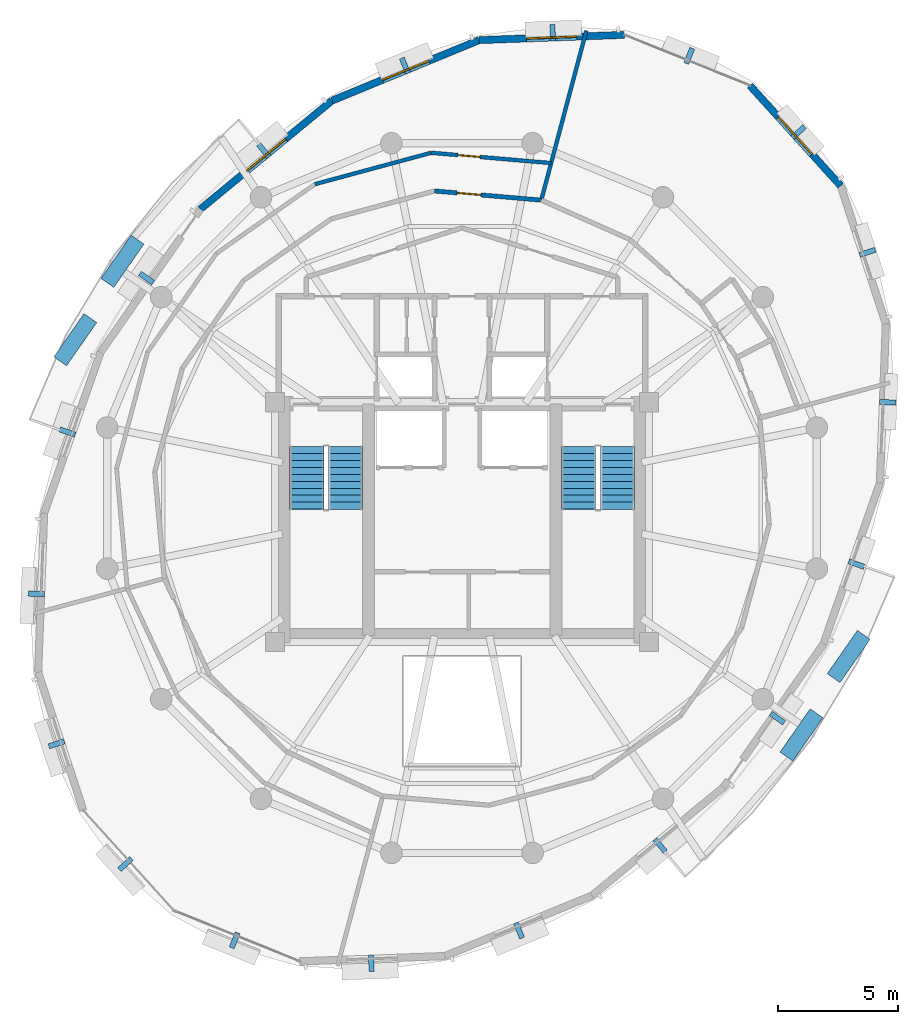
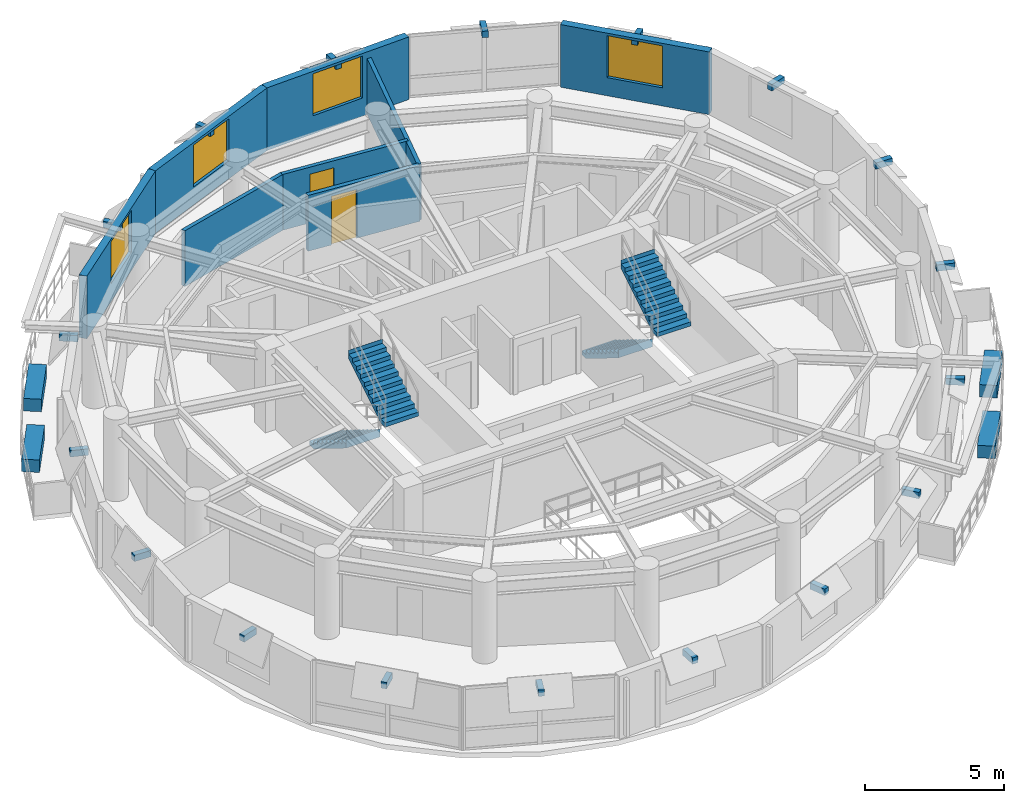
# One storey, part 9 of 11: 22 discrete accessories, 8 walls, 4 stair flights, 4 windows, 2 doors, 6 openings, 2 elements without a shape of their own.
"""IFC4 building model written with IfcOpenShell, lengths in metres."""

import ifcopenshell
import ifcopenshell.guid

model = None  # the IFC model being written
_history = None  # IfcOwnerHistory: only IFC2X3 demands one
_inside = {}  # id of a spatial element -> (the spatial element, [elements in it])
_under = {}  # id of a project, library or spatial element -> (it, [spatial elements below it])
_declared = {}  # id of a project -> (the project, [libraries it declares])
_typed = {}  # id of a type object -> (the type object, [elements of that type])
_made_of = {}  # id of a material, layer set ... -> (it, [elements and type objects made of it])


def new_model(schema):
    """Start an empty IFC model of exactly this schema.

    Asked for "IFC4X3", IfcOpenShell would pick the latest addendum, in which some entities
    have other attributes; the version numbers below select the first issue.
    IFC2X3 requires an IfcOwnerHistory on every rooted entity: one is made here for all.
    """
    global model, _history
    if schema == "IFC4X3":
        model = ifcopenshell.file(schema_version=(4, 3, 0, 0))
    else:
        model = ifcopenshell.file(schema=schema)
    _inside.clear()
    _under.clear()
    _declared.clear()
    _typed.clear()
    _made_of.clear()
    _history = None
    if model.schema == "IFC2X3":
        org = make("IfcOrganization", Name="unknown")
        user = make(
            "IfcPersonAndOrganization",
            ThePerson=make("IfcPerson", FamilyName="unknown"),
            TheOrganization=org,
        )
        app = make(
            "IfcApplication",
            ApplicationDeveloper=org,
            Version="unknown",
            ApplicationFullName="unknown",
            ApplicationIdentifier="unknown",
        )
        _history = make(
            "IfcOwnerHistory",
            OwningUser=user,
            OwningApplication=app,
            ChangeAction="ADDED",
            CreationDate=0,
        )
    return model


def make(cls, **values):
    """One entity of the class cls with the attributes given. An attribute that is None is left unset."""
    return model.create_entity(
        cls, **{name: value for name, value in values.items() if value is not None}
    )


def rooted(cls, **values):
    """An entity with a GlobalId (a new one), such as an element, a storey or a relation."""
    return make(cls, GlobalId=ifcopenshell.guid.new(), OwnerHistory=_history, **values)


def si_unit(unit_type, name, prefix=None):
    """IfcSIUnit, for example si_unit("LENGTHUNIT", "METRE", prefix="MILLI")."""
    return make("IfcSIUnit", UnitType=unit_type, Prefix=prefix, Name=name)


def assignment(units):
    """IfcUnitAssignment: the units of a project."""
    return None if units is None else make("IfcUnitAssignment", Units=units)


def point(xyz):
    """IfcCartesianPoint."""
    return None if xyz is None else make("IfcCartesianPoint", Coordinates=xyz)


def direction(xyz):
    """IfcDirection."""
    return None if xyz is None else make("IfcDirection", DirectionRatios=xyz)


def frame(location, z_axis=None, x_axis=None):
    """IfcAxis2Placement3D, a coordinate frame: its origin and axes. An axis left out is left unset."""
    return make(
        "IfcAxis2Placement3D",
        Location=point(location),
        Axis=direction(z_axis),
        RefDirection=direction(x_axis),
    )


def frame_2d(location, x_axis=None):
    """IfcAxis2Placement2D, a coordinate frame in the plane: its origin and x axis."""
    return make(
        "IfcAxis2Placement2D", Location=point(location), RefDirection=direction(x_axis)
    )


def origin():
    """The frame at (0, 0, 0) with its axes left unset."""
    return frame((0.0, 0.0, 0.0))


def origin_2d():
    """The frame at (0, 0) in the plane with its x axis left unset."""
    return frame_2d((0.0, 0.0))


def place(relative_to, where):
    """IfcLocalPlacement: puts the frame where relative to a parent placement (None: the world)."""
    return make(
        "IfcLocalPlacement", PlacementRelTo=relative_to, RelativePlacement=where
    )


def context(
    kind, dimensions, precision=None, world=None, true_north=None, identifier=None
):
    """IfcGeometricRepresentationContext, for example the 3D "Model" context."""
    return make(
        "IfcGeometricRepresentationContext",
        ContextIdentifier=identifier,
        ContextType=kind,
        CoordinateSpaceDimension=dimensions,
        Precision=precision,
        WorldCoordinateSystem=world,
        TrueNorth=true_north,
    )


def subcontext(parent, identifier, kind, view, scale=None):
    """IfcGeometricRepresentationSubContext, for example "Body" below "Model"."""
    return make(
        "IfcGeometricRepresentationSubContext",
        ContextIdentifier=identifier,
        ContextType=kind,
        ParentContext=parent,
        TargetScale=scale,
        TargetView=view,
    )


def project(units=None, contexts=None):
    """IfcProject with its units and contexts."""
    return rooted(
        "IfcProject",
        Name="project",
        RepresentationContexts=contexts,
        UnitsInContext=assignment(units),
    )


def spatial(cls, under=None, at=None, **own):
    """A site, building, storey or space (cls), placed at a placement, below another one or the project."""
    s = rooted(cls, ObjectPlacement=at, **own)
    if under is not None:
        _under.setdefault(under.id(), (under, []))[1].append(s)
    return s


def polyline(points):
    """IfcPolyline through the points."""
    return make("IfcPolyline", Points=[point(p) for p in points])


def profile(cls, at=None, kind="AREA", **sizes):
    """A parametric profile (cls). Its sizes go by their IFC names, for example OverallWidth=200.0."""
    return make(cls, ProfileType=kind, Position=at, **sizes)


def rectangle(**sizes):
    """IfcRectangleProfileDef."""
    return profile("IfcRectangleProfileDef", **sizes)


def outline(outer, holes=None, kind="AREA"):
    """IfcArbitraryClosedProfileDef: a profile drawn as a closed curve; with holes, ...WithVoids."""
    if holes is None:
        return make("IfcArbitraryClosedProfileDef", ProfileType=kind, OuterCurve=outer)
    return make(
        "IfcArbitraryProfileDefWithVoids",
        ProfileType=kind,
        OuterCurve=outer,
        InnerCurves=holes,
    )


def extrude(swept, where, along, depth):
    """IfcExtrudedAreaSolid: the profile swept, set in the frame where, extruded along a direction by depth."""
    return make(
        "IfcExtrudedAreaSolid",
        SweptArea=swept,
        Position=where,
        ExtrudedDirection=direction(along),
        Depth=depth,
    )


def shape(context_of_items, identifier, shape_type, items):
    """IfcShapeRepresentation: the items that make up one representation, for example the "Body"."""
    return make(
        "IfcShapeRepresentation",
        ContextOfItems=context_of_items,
        RepresentationIdentifier=identifier,
        RepresentationType=shape_type,
        Items=items,
    )


def material(Name=None, Category=None):
    """IfcMaterial."""
    return make("IfcMaterial", Name=Name, Category=Category)


def layer(
    of_material, thickness, ventilated=None, Name=None, Category=None, Priority=None
):
    """IfcMaterialLayer: one layer of a wall or slab, of a material (None: an air gap)."""
    return make(
        "IfcMaterialLayer",
        Material=of_material,
        LayerThickness=thickness,
        IsVentilated=ventilated,
        Name=Name,
        Category=Category,
        Priority=Priority,
    )


def layer_set(layers, Name=None):
    """IfcMaterialLayerSet."""
    return make("IfcMaterialLayerSet", MaterialLayers=layers, LayerSetName=Name)


def made_of(thing, what):
    """Note that an element or type object is made of a material, layer set ...; save() writes the relation."""
    if what is not None:
        _made_of.setdefault(what.id(), (what, []))[1].append(thing)
    return thing


def type_object(cls, material=None, **own):
    """A type object (cls), such as IfcWallType, which elements share."""
    return made_of(rooted(cls, **own), material)


def element(
    cls,
    number,
    at=None,
    inside=None,
    cuts=None,
    type_object=None,
    material=None,
    context=None,
    identifier="Body",
    shape_type=None,
    held_by="IfcProductDefinitionShape",
    body=None,
    shapes=None,
    **own,
):
    """One element of the class cls, such as IfcWall. Its Tag is "e" and its number.

    at: its placement. inside: the storey or other place that contains it. cuts: it is an
    opening in that element (IfcRelVoidsElement). A single representation is given by context,
    identifier, shape_type and body (its items); several are given by shapes. held_by: the class
    of the entity that holds the representations. save() writes the other relations.
    """
    e = rooted(cls, Tag="e%d" % number, ObjectPlacement=at, **own)
    if body is not None:
        shapes = [shape(context, identifier, shape_type, body)]
    if shapes is not None:
        e.Representation = make(held_by, Representations=shapes)
    if inside is not None:
        _inside.setdefault(inside.id(), (inside, []))[1].append(e)
    if cuts is not None:
        rooted(
            "IfcRelVoidsElement", RelatingBuildingElement=cuts, RelatedOpeningElement=e
        )
    if type_object is not None:
        _typed.setdefault(type_object.id(), (type_object, []))[1].append(e)
    return made_of(e, material)


def fill(opening, filler):
    """IfcRelFillsElement: the door or window that sits in an opening."""
    return rooted(
        "IfcRelFillsElement",
        RelatingOpeningElement=opening,
        RelatedBuildingElement=filler,
    )


def aggregate(whole, parts):
    """IfcRelAggregates: a whole, such as a stair, and the parts it consists of."""
    return rooted("IfcRelAggregates", RelatingObject=whole, RelatedObjects=parts)


def save(model, path):
    """Write the relations noted so far, then the file.

    IfcRelAggregates (storeys below a building ...), IfcRelContainedInSpatialStructure (elements
    in a storey), IfcRelDefinesByType, IfcRelAssociatesMaterial and IfcRelDeclares: one each for
    every whole, place, type object, material and project.
    """
    for whole, parts in _under.values():
        aggregate(whole, parts)
    for where, things in _inside.values():
        rooted(
            "IfcRelContainedInSpatialStructure",
            RelatedElements=things,
            RelatingStructure=where,
        )
    for kind, things in _typed.values():
        rooted("IfcRelDefinesByType", RelatedObjects=things, RelatingType=kind)
    for what, things in _made_of.values():
        rooted("IfcRelAssociatesMaterial", RelatedObjects=things, RelatingMaterial=what)
    for by, libraries in _declared.values():
        rooted("IfcRelDeclares", RelatingContext=by, RelatedDefinitions=libraries)
    model.write(path)


model = new_model("IFC4")

# Units and contexts
model_context = context("Model", 3, precision=1e-05, world=origin(), true_north=direction((0.0, 1.0)))
body_context = subcontext(model_context, "Body", "Model", "MODEL_VIEW")
ifc_project = project(units=[si_unit("LENGTHUNIT", "METRE"), si_unit("AREAUNIT", "SQUARE_METRE"), si_unit("VOLUMEUNIT", "CUBIC_METRE"), si_unit("PLANEANGLEUNIT", "RADIAN"), si_unit("MASSUNIT", "GRAM", prefix="KILO"), si_unit("THERMODYNAMICTEMPERATUREUNIT", "KELVIN"), si_unit("POWERUNIT", "WATT")], contexts=[model_context])

# Site, building, storey
site_placement = place(None, origin())
site = spatial("IfcSite", under=ifc_project, at=site_placement, CompositionType="ELEMENT")
building_placement = place(site_placement, origin())
building = spatial("IfcBuilding", under=site, at=building_placement, Name="Ocrelia Relay Tower", CompositionType="ELEMENT")
storey_placement = place(building_placement, frame((0.0, 0.0, 259.199951171875)))
storey = spatial("IfcBuildingStorey", under=building, at=storey_placement, Name="L64", CompositionType="ELEMENT", Elevation=259.199951171875)

# Wall, opening, door
ifc_material_1 = material(Name="Gypsum Fireboard Partition EI60", Category="gypsum")
ifc_layer_1 = layer(ifc_material_1, 0.179931640625, Name="Gypsum Fireboard Partition EI60")
ifc_layer_set_1 = layer_set([ifc_layer_1], Name="Gypsum Fireboard Partition EI60")
wall_type_1 = type_object("IfcWallType", Name="W-CORR-EI60-180", PredefinedType="PARTITIONING", material=ifc_layer_set_1)
wall_1_placement = place(storey_placement, frame((37.309326171875, 38.437255859375, 0.0), z_axis=(0.0, 0.0, 1.0), x_axis=(-0.996344391256, 0.085427478095, 0.0)))
wall_1 = element("IfcWall", 1, at=wall_1_placement, inside=storey, type_object=wall_type_1, Name="L64 Principal Reading Gallery Corridor Partition 1", PredefinedType="PARTITIONING", context=body_context, shape_type="SweptSolid", body=[
    extrude(rectangle(XDim=4.4697265625, YDim=0.179931640625, at=frame_2d((2.23486328125, 0.0))), origin(), (0.0, 0.0, 1.0), 2.4599609375),
])
opening_1_placement = place(wall_1_placement, frame((2.52734375, 0.0, 0.0)))
opening_1 = element("IfcOpeningElement", 2, at=opening_1_placement, cuts=wall_1, Name="Opening D-RM100", PredefinedType="OPENING", context=body_context, shape_type="SweptSolid", body=[
    extrude(rectangle(XDim=1.0, YDim=2.14990234375, at=frame_2d((0.5, 1.074951171875))), frame((0.0, 0.10009765625, 0.0), z_axis=(0.0, -1.0, 0.0), x_axis=(1.0, 0.0, 0.0)), (0.0, 0.0, 1.0), 0.199951171875),
])
ifc_material_2 = material(Name="Acoustic oak veneer fire door", Category="wood")
door_type_1 = type_object("IfcDoorType", Name="DR-ROOM-FD60-1000", OperationType="NOTDEFINED", PredefinedType="DOOR", material=ifc_material_2)
door_1_placement = place(opening_1_placement, origin())
door_1 = element("IfcDoor", 3, at=door_1_placement, inside=storey, type_object=door_type_1, Name="L64 Principal Reading Gallery Entrance Door", OperationType="SINGLE_SWING_RIGHT", OverallHeight=2.14990234375, OverallWidth=1.0, PredefinedType="DOOR", context=body_context, shape_type="SweptSolid", body=[
    extrude(rectangle(XDim=1.0, YDim=2.14990234375, at=frame_2d((0.5, 1.074951171875))), frame((0.0, 0.02490234375, 0.0), z_axis=(0.0, -1.0, 0.0), x_axis=(1.0, 0.0, 0.0)), (0.0, 0.0, 1.0), 0.050048828125),
])
fill(opening_1, door_1)

# Wall, opening, window
ifc_material_3 = material(Name="Precast concrete C40/50 with oxide terracotta", Category="masonry")
ifc_layer_2 = layer(ifc_material_3, 0.300048828125, Name="Precast concrete C40/50 with oxide terracotta")
ifc_layer_set_2 = layer_set([ifc_layer_2], Name="Precast concrete C40/50 with oxide terracotta")
wall_type_2 = type_object("IfcWallType", Name="W-EXT-TERR-300", PredefinedType="SOLIDWALL", material=ifc_layer_set_2)
wall_2_placement = place(storey_placement, frame((40.7744140625, 45.3349609375, 0.0), z_axis=(0.0, 0.0, 1.0), x_axis=(-0.999339976512, -0.036326455179, 0.0)))
wall_2 = element("IfcWall", 4, at=wall_2_placement, inside=storey, type_object=wall_type_2, Name="L64 Oxide Terracotta Facade Wall 02", PredefinedType="SOLIDWALL", context=body_context, shape_type="SweptSolid", body=[
    extrude(rectangle(XDim=6.06201171875, YDim=0.300048828125, at=frame_2d((3.031005859375, 0.0))), origin(), (0.0, 0.0, 1.0), 2.760009765625),
])
opening_2_placement = place(wall_2_placement, frame((1.98095703125, 0.0, 0.800048828125)))
opening_2 = element("IfcOpeningElement", 5, at=opening_2_placement, cuts=wall_2, Name="Opening W-07", PredefinedType="OPENING", context=body_context, shape_type="SweptSolid", body=[
    extrude(rectangle(XDim=2.10009765625, YDim=1.85009765625, at=frame_2d((1.050048828125, 0.925048828125))), frame((0.0, 0.16015625, 0.0), z_axis=(0.0, -1.0, 0.0), x_axis=(1.0, 0.0, 0.0)), (0.0, 0.0, 1.0), 0.320068359375),
])
ifc_material_4 = material(Name="Clear double-glazed low-E glass", Category="glass")
window_type = type_object("IfcWindowType", Name="WIN-Z4-2100x2200", PartitioningType="DOUBLE_PANEL_VERTICAL", PredefinedType="WINDOW", material=ifc_material_4)
window_1_placement = place(opening_2_placement, origin())
window_1 = element("IfcWindow", 6, at=window_1_placement, inside=storey, type_object=window_type, Name="L64 Facade Module Window 02", OverallHeight=1.85009765625, OverallWidth=2.10009765625, PartitioningType="SINGLE_PANEL", PredefinedType="WINDOW", context=body_context, shape_type="SweptSolid", body=[
    extrude(rectangle(XDim=2.10009765625, YDim=1.85009765625, at=frame_2d((1.050048828125, 0.925048828125))), frame((0.0, 0.030029296875, 0.0), z_axis=(0.0, -1.0, 0.0), x_axis=(1.0, 0.0, 0.0)), (0.0, 0.0, 1.0), 0.06005859375),
])
fill(opening_2, window_1)

wall_3_placement = place(storey_placement, frame((34.71630859375, 45.11474609375, 0.0), z_axis=(0.0, 0.0, 1.0), x_axis=(-0.924909306037, -0.380187816226, 0.0)))
wall_3 = element("IfcWall", 7, at=wall_3_placement, inside=storey, type_object=wall_type_2, Name="L64 Oxide Terracotta Facade Wall 03", PredefinedType="SOLIDWALL", context=body_context, shape_type="SweptSolid", body=[
    extrude(rectangle(XDim=6.64306640625, YDim=0.300048828125, at=frame_2d((3.321533203125, 0.0))), origin(), (0.0, 0.0, 1.0), 2.760009765625),
])
opening_3_placement = place(wall_3_placement, frame((2.27197265625, 0.0, 0.800048828125)))
opening_3 = element("IfcOpeningElement", 8, at=opening_3_placement, cuts=wall_3, Name="Opening W-07", PredefinedType="OPENING", context=body_context, shape_type="SweptSolid", body=[
    extrude(rectangle(XDim=2.10009765625, YDim=1.85009765625, at=frame_2d((1.050048828125, 0.925048828125))), frame((0.0, 0.16015625, 0.0), z_axis=(0.0, -1.0, 0.0), x_axis=(1.0, 0.0, 0.0)), (0.0, 0.0, 1.0), 0.320068359375),
])
window_2_placement = place(opening_3_placement, origin())
window_2 = element("IfcWindow", 9, at=window_2_placement, inside=storey, type_object=window_type, Name="L64 Facade Module Window 03", OverallHeight=1.85009765625, OverallWidth=2.10009765625, PartitioningType="SINGLE_PANEL", PredefinedType="WINDOW", context=body_context, shape_type="SweptSolid", body=[
    extrude(rectangle(XDim=2.10009765625, YDim=1.85009765625, at=frame_2d((1.050048828125, 0.925048828125))), frame((0.0, 0.030029296875, 0.0), z_axis=(0.0, -1.0, 0.0), x_axis=(1.0, 0.0, 0.0)), (0.0, 0.0, 1.0), 0.06005859375),
])
fill(opening_3, window_2)

wall_4_placement = place(storey_placement, frame((28.572021484375, 42.589111328125, 0.0), z_axis=(0.0, 0.0, 1.0), x_axis=(-0.771526956165, -0.636196633055, 0.0)))
wall_4 = element("IfcWall", 10, at=wall_4_placement, inside=storey, type_object=wall_type_2, Name="L64 Oxide Terracotta Facade Wall 04", PredefinedType="SOLIDWALL", context=body_context, shape_type="SweptSolid", body=[
    extrude(rectangle(XDim=7.115234375, YDim=0.300048828125, at=frame_2d((3.5576171875, 0.0))), origin(), (0.0, 0.0, 1.0), 2.760009765625),
])
opening_4_placement = place(wall_4_placement, frame((2.508056640625, 0.0, 0.800048828125)))
opening_4 = element("IfcOpeningElement", 11, at=opening_4_placement, cuts=wall_4, Name="Opening W-07", PredefinedType="OPENING", context=body_context, shape_type="SweptSolid", body=[
    extrude(rectangle(XDim=2.10009765625, YDim=1.85009765625, at=frame_2d((1.050048828125, 0.925048828125))), frame((0.0, 0.16015625, 0.0), z_axis=(0.0, -1.0, 0.0), x_axis=(1.0, 0.0, 0.0)), (0.0, 0.0, 1.0), 0.320068359375),
])
window_3_placement = place(opening_4_placement, origin())
window_3 = element("IfcWindow", 12, at=window_3_placement, inside=storey, type_object=window_type, Name="L64 Facade Module Window 04", OverallHeight=1.85009765625, OverallWidth=2.10009765625, PartitioningType="SINGLE_PANEL", PredefinedType="WINDOW", context=body_context, shape_type="SweptSolid", body=[
    extrude(rectangle(XDim=2.10009765625, YDim=1.85009765625, at=frame_2d((1.050048828125, 0.925048828125))), frame((0.0, 0.030029296875, 0.0), z_axis=(0.0, -1.0, 0.0), x_axis=(1.0, 0.0, 0.0)), (0.0, 0.0, 1.0), 0.06005859375),
])
fill(opening_4, window_3)

wall_5_placement = place(storey_placement, frame((49.806640625, 39.033935546875, 0.0), z_axis=(0.0, 0.0, 1.0), x_axis=(-0.671036638293, 0.741424190372, 0.0)))
wall_5 = element("IfcWall", 13, at=wall_5_placement, inside=storey, type_object=wall_type_2, Name="L64 Oxide Terracotta Facade Wall 18", PredefinedType="SOLIDWALL", context=body_context, shape_type="SweptSolid", body=[
    extrude(rectangle(XDim=5.650146484375, YDim=0.300048828125, at=frame_2d((2.8251953125, 0.0))), origin(), (0.0, 0.0, 1.0), 2.760009765625),
])
opening_5_placement = place(wall_5_placement, frame((1.77490234375, 0.0, 0.800048828125)))
opening_5 = element("IfcOpeningElement", 14, at=opening_5_placement, cuts=wall_5, Name="Opening W-07", PredefinedType="OPENING", context=body_context, shape_type="SweptSolid", body=[
    extrude(rectangle(XDim=2.10009765625, YDim=1.85009765625, at=frame_2d((1.050048828125, 0.925048828125))), frame((0.0, 0.16015625, 0.0), z_axis=(0.0, -1.0, 0.0), x_axis=(1.0, 0.0, 0.0)), (0.0, 0.0, 1.0), 0.320068359375),
])
window_4_placement = place(opening_5_placement, origin())
window_4 = element("IfcWindow", 15, at=window_4_placement, inside=storey, type_object=window_type, Name="L64 Facade Module Window 18", OverallHeight=1.85009765625, OverallWidth=2.10009765625, PartitioningType="SINGLE_PANEL", PredefinedType="WINDOW", context=body_context, shape_type="SweptSolid", body=[
    extrude(rectangle(XDim=2.10009765625, YDim=1.85009765625, at=frame_2d((1.050048828125, 0.925048828125))), frame((0.0, 0.030029296875, 0.0), z_axis=(0.0, -1.0, 0.0), x_axis=(1.0, 0.0, 0.0)), (0.0, 0.0, 1.0), 0.06005859375),
])
fill(opening_5, window_4)

# Wall
ifc_material_5 = material(Name="Acoustic Fireboard Partition EI60", Category="gypsum")
ifc_layer_3 = layer(ifc_material_5, 0.159912109375, Name="Acoustic Fireboard Partition EI60")
ifc_layer_set_3 = layer_set([ifc_layer_3], Name="Acoustic Fireboard Partition EI60")
wall_type_3 = type_object("IfcWallType", Name="W-PART-160", PredefinedType="PARTITIONING", material=ifc_layer_set_3)
wall_6_placement = place(storey_placement, frame((37.309326171875, 38.437255859375, 0.0), z_axis=(0.0, 0.0, 1.0), x_axis=(0.257139371946, 0.966374328816, 0.0)))
element("IfcWall", 16, at=wall_6_placement, inside=storey, type_object=wall_type_3, Name="L64 Executive Lounge Radial Partition", PredefinedType="PARTITIONING", context=body_context, shape_type="SweptSolid", body=[
    extrude(rectangle(XDim=7.318359375, YDim=0.159912109375, at=frame_2d((3.6591796875, 0.0))), origin(), (0.0, 0.0, 1.0), 2.4599609375),
])

# Wall, opening, door
wall_7_placement = place(storey_placement, frame((37.720703125, 39.9833984375, 0.0), z_axis=(0.0, 0.0, 1.0), x_axis=(-0.996346294715, 0.085405275055, 0.0)))
wall_7 = element("IfcWall", 17, at=wall_7_placement, inside=storey, type_object=wall_type_3, Name="L64 Perimeter Principal Reading Gallery Mid-Ring Partition 1", PredefinedType="PARTITIONING", context=body_context, shape_type="SweptSolid", body=[
    extrude(rectangle(XDim=5.025390625, YDim=0.159912109375, at=frame_2d((2.5126953125, 0.0))), origin(), (0.0, 0.0, 1.0), 2.4599609375),
])
opening_6_placement = place(wall_7_placement, frame((2.966552734375, 0.0, 0.0)))
opening_6 = element("IfcOpeningElement", 18, at=opening_6_placement, cuts=wall_7, Name="Opening D-RM95", PredefinedType="OPENING", context=body_context, shape_type="SweptSolid", body=[
    extrude(rectangle(XDim=0.949951171875, YDim=2.14990234375, at=frame_2d((0.47509765625, 1.074951171875))), frame((0.0, 0.08984375, 0.0), z_axis=(0.0, -1.0, 0.0), x_axis=(1.0, 0.0, 0.0)), (0.0, 0.0, 1.0), 0.179931640625),
])
door_type_2 = type_object("IfcDoorType", Name="DR-ROOM-950", OperationType="NOTDEFINED", PredefinedType="DOOR", material=ifc_material_2)
door_2_placement = place(opening_6_placement, origin())
door_2 = element("IfcDoor", 19, at=door_2_placement, inside=storey, type_object=door_type_2, Name="L64 Perimeter Principal Reading Gallery Connecting Door", OperationType="SINGLE_SWING_LEFT", OverallHeight=2.14990234375, OverallWidth=0.949951171875, PredefinedType="DOOR", context=body_context, shape_type="SweptSolid", body=[
    extrude(rectangle(XDim=0.949951171875, YDim=2.14990234375, at=frame_2d((0.47509765625, 1.074951171875))), frame((0.0, 0.02490234375, 0.0), z_axis=(0.0, -1.0, 0.0), x_axis=(1.0, 0.0, 0.0)), (0.0, 0.0, 1.0), 0.050048828125),
])
fill(opening_6, door_2)

# Wall
wall_8_placement = place(storey_placement, frame((32.713623046875, 40.41259765625, 0.0), z_axis=(0.0, 0.0, 1.0), x_axis=(-0.965474426138, -0.260497855027, 0.0)))
element("IfcWall", 20, at=wall_8_placement, inside=storey, type_object=wall_type_3, Name="L64 Perimeter Principal Reading Gallery Mid-Ring Partition 2", PredefinedType="PARTITIONING", context=body_context, shape_type="SweptSolid", body=[
    extrude(rectangle(XDim=5.025390625, YDim=0.159912109375, at=frame_2d((2.5126953125, 0.0))), origin(), (0.0, 0.0, 1.0), 2.4599609375),
])

# Stair, stair flights
ifc_material_6 = material(Name="Concrete C50/60", Category="concrete")
stair_type = type_object("IfcStairType", Name="ST-DL-1420-R180", PredefinedType="HALF_TURN_STAIR", material=ifc_material_6)
stair_1_placement = place(storey_placement, origin())
stair_1 = element("IfcStair", 21, at=stair_1_placement, inside=storey, type_object=stair_type, Name="L64 West Core Exit Stair ST1", PredefinedType="HALF_TURN_STAIR")
stair_flight_type = type_object("IfcStairFlightType", Name="STF-DL-1420-R180", PredefinedType="STRAIGHT", material=ifc_material_6)
stair_flight_1_placement = place(storey_placement, frame((27.52001953125, 28.14990234375, 0.0), z_axis=(0.0, 0.0, 1.0), x_axis=(0.0, -1.0, 0.0)))
stair_flight_1 = element("IfcStairFlight", 22, at=stair_flight_1_placement, type_object=stair_flight_type, Name="ST1 flight 1", NumberOfRisers=10, NumberOfTreads=9, PredefinedType="STRAIGHT", RiserHeight=0.18, TreadLength=0.29, context=body_context, shape_type="SweptSolid", body=[
    extrude(outline(polyline([(-0.008056640625, 0.0), (-0.008056640625, 0.179931640625), (0.0, 0.179931640625), (0.2900390625, 0.179931640625), (0.2900390625, 0.360107421875), (0.580078125, 0.360107421875), (0.580078125, 0.5400390625), (0.8701171875, 0.5400390625), (0.8701171875, 0.719970703125), (1.159912109375, 0.719970703125), (1.159912109375, 0.89990234375), (1.449951171875, 0.89990234375), (1.449951171875, 1.080078125), (1.739990234375, 1.080078125), (1.739990234375, 1.260009765625), (2.030029296875, 1.260009765625), (2.030029296875, 1.43994140625), (2.320068359375, 1.43994140625), (2.320068359375, 1.6201171875), (2.610107421875, 1.6201171875), (2.610107421875, 1.800048828125), (2.617919921875, 1.800048828125), (2.617919921875, 1.443603515625), (0.2841796875, 0.0), (-0.008056640625, 0.0)])), frame((0.0, 0.7099609375, 0.0), z_axis=(0.0, -1.0, 0.0), x_axis=(1.0, 0.0, 0.0)), (0.0, 0.0, 1.0), 1.419921875),
])
stair_flight_2_placement = place(storey_placement, frame((29.139892578125, 25.5400390625, 1.800048828125), z_axis=(0.0, 0.0, 1.0), x_axis=(0.0, 1.0, 0.0)))
stair_flight_2 = element("IfcStairFlight", 23, at=stair_flight_2_placement, type_object=stair_flight_type, Name="ST1 flight 2", NumberOfRisers=10, NumberOfTreads=9, PredefinedType="STRAIGHT", RiserHeight=0.18, TreadLength=0.29, context=body_context, shape_type="SweptSolid", body=[
    extrude(outline(polyline([(-0.008056640625, 0.0), (-0.008056640625, 0.179931640625), (0.0, 0.179931640625), (0.2900390625, 0.179931640625), (0.2900390625, 0.360107421875), (0.580078125, 0.360107421875), (0.580078125, 0.5400390625), (0.8701171875, 0.5400390625), (0.8701171875, 0.719970703125), (1.159912109375, 0.719970703125), (1.159912109375, 0.89990234375), (1.449951171875, 0.89990234375), (1.449951171875, 1.080078125), (1.739990234375, 1.080078125), (1.739990234375, 1.260009765625), (2.030029296875, 1.260009765625), (2.030029296875, 1.43994140625), (2.320068359375, 1.43994140625), (2.320068359375, 1.6201171875), (2.610107421875, 1.6201171875), (2.610107421875, 1.800048828125), (2.617919921875, 1.800048828125), (2.617919921875, 1.443603515625), (0.2841796875, 0.0), (-0.008056640625, 0.0)])), frame((0.0, 0.7099609375, 0.0), z_axis=(0.0, -1.0, 0.0), x_axis=(1.0, 0.0, 0.0)), (0.0, 0.0, 1.0), 1.419921875),
])
aggregate(stair_1, [stair_flight_1, stair_flight_2])

stair_2_placement = place(storey_placement, origin())
stair_2 = element("IfcStair", 24, at=stair_2_placement, inside=storey, type_object=stair_type, Name="L64 East Core Exit Stair ST2", PredefinedType="HALF_TURN_STAIR")
stair_flight_3_placement = place(storey_placement, frame((38.8701171875, 28.14990234375, 0.0), z_axis=(0.0, 0.0, 1.0), x_axis=(0.0, -1.0, 0.0)))
stair_flight_3 = element("IfcStairFlight", 25, at=stair_flight_3_placement, type_object=stair_flight_type, Name="ST2 flight 1", NumberOfRisers=10, NumberOfTreads=9, PredefinedType="STRAIGHT", RiserHeight=0.18, TreadLength=0.29, context=body_context, shape_type="SweptSolid", body=[
    extrude(outline(polyline([(-0.008056640625, 0.0), (-0.008056640625, 0.179931640625), (0.0, 0.179931640625), (0.2900390625, 0.179931640625), (0.2900390625, 0.360107421875), (0.580078125, 0.360107421875), (0.580078125, 0.5400390625), (0.8701171875, 0.5400390625), (0.8701171875, 0.719970703125), (1.159912109375, 0.719970703125), (1.159912109375, 0.89990234375), (1.449951171875, 0.89990234375), (1.449951171875, 1.080078125), (1.739990234375, 1.080078125), (1.739990234375, 1.260009765625), (2.030029296875, 1.260009765625), (2.030029296875, 1.43994140625), (2.320068359375, 1.43994140625), (2.320068359375, 1.6201171875), (2.610107421875, 1.6201171875), (2.610107421875, 1.800048828125), (2.617919921875, 1.800048828125), (2.617919921875, 1.443603515625), (0.2841796875, 0.0), (-0.008056640625, 0.0)])), frame((0.0, 0.7099609375, 0.0), z_axis=(0.0, -1.0, 0.0), x_axis=(1.0, 0.0, 0.0)), (0.0, 0.0, 1.0), 1.419921875),
])
stair_flight_4_placement = place(storey_placement, frame((40.489990234375, 25.5400390625, 1.800048828125), z_axis=(0.0, 0.0, 1.0), x_axis=(0.0, 1.0, 0.0)))
stair_flight_4 = element("IfcStairFlight", 26, at=stair_flight_4_placement, type_object=stair_flight_type, Name="ST2 flight 2", NumberOfRisers=10, NumberOfTreads=9, PredefinedType="STRAIGHT", RiserHeight=0.18, TreadLength=0.29, context=body_context, shape_type="SweptSolid", body=[
    extrude(outline(polyline([(-0.008056640625, 0.0), (-0.008056640625, 0.179931640625), (0.0, 0.179931640625), (0.2900390625, 0.179931640625), (0.2900390625, 0.360107421875), (0.580078125, 0.360107421875), (0.580078125, 0.5400390625), (0.8701171875, 0.5400390625), (0.8701171875, 0.719970703125), (1.159912109375, 0.719970703125), (1.159912109375, 0.89990234375), (1.449951171875, 0.89990234375), (1.449951171875, 1.080078125), (1.739990234375, 1.080078125), (1.739990234375, 1.260009765625), (2.030029296875, 1.260009765625), (2.030029296875, 1.43994140625), (2.320068359375, 1.43994140625), (2.320068359375, 1.6201171875), (2.610107421875, 1.6201171875), (2.610107421875, 1.800048828125), (2.617919921875, 1.800048828125), (2.617919921875, 1.443603515625), (0.2841796875, 0.0), (-0.008056640625, 0.0)])), frame((0.0, 0.7099609375, 0.0), z_axis=(0.0, -1.0, 0.0), x_axis=(1.0, 0.0, 0.0)), (0.0, 0.0, 1.0), 1.419921875),
])
aggregate(stair_2, [stair_flight_3, stair_flight_4])

# Discrete accessories
ifc_material_7 = material(Name="Precast concrete C40/50 planter with highland greenery", Category="concrete")
discrete_accessory_type_1 = type_object("IfcDiscreteAccessoryType", Name="ACC-BALC-PLANTER", PredefinedType="USERDEFINED", material=ifc_material_7)
for number, where, z_axis, x_axis, name in (
    (27, (19.829833984375, 35.88525390625, 0.0), (0.0, 0.0, 1.0), (0.572141209663, 0.820155129354, 0.0), "L64 Balcony Terracotta Planter with Greenery B1"),
    (28, (17.858642578125, 32.611083984375, 0.0), (0.0, 0.0, 1.0), (0.572141209663, 0.820155129354, 0.0), "L64 Balcony Terracotta Planter B1-2"),
    (29, (48.170166015625, 16.11474609375, 0.0), (0.0, 0.0, 1.0), (-0.572141209663, -0.820155129354, 0.0), "L64 Balcony Terracotta Planter with Greenery B2"),
    (30, (50.141357421875, 19.388916015625, 0.0), (0.0, 0.0, 1.0), (-0.572141209663, -0.820155129354, 0.0), "L64 Balcony Terracotta Planter B2-2"),
):
    element("IfcDiscreteAccessory", number, at=place(storey_placement, frame(where, z_axis=z_axis, x_axis=x_axis)), inside=storey, type_object=discrete_accessory_type_1, Name=name, ObjectType="PLANTER", PredefinedType="USERDEFINED", context=body_context, shape_type="SweptSolid", body=[
        extrude(rectangle(XDim=2.199951171875, YDim=0.64990234375, at=origin_2d()), origin(), (0.0, 0.0, 1.0), 0.550048828125),
    ])
ifc_material_8 = material(Name="Steel S355", Category="steel")
discrete_accessory_type_2 = type_object("IfcDiscreteAccessoryType", Name="ACC-VISOR-BRACKET", PredefinedType="BRACKET", material=ifc_material_8)
for number, where, z_axis, x_axis, name in (
    (31, (43.486083984375, 44.45703125, 2.4599609375), (0.0, 0.0, 1.0), (-0.927528967544, 0.373751273397, 0.0), "L64 Visor Mounting Bracket 01"),
    (32, (37.78369140625, 45.421142578125, 2.4599609375), (0.0, 0.0, 1.0), (-0.999340020676, -0.036325240199, 0.0), "L64 Visor Mounting Bracket 02"),
    (33, (31.6181640625, 44.05029296875, 2.4599609375), (0.0, 0.0, 1.0), (-0.92490084006, -0.380208411345, 0.0), "L64 Visor Mounting Bracket 03"),
    (34, (25.728271484375, 40.49951171875, 2.4599609375), (0.0, 0.0, 1.0), (-0.771527626544, -0.636195820074, 0.0), "L64 Visor Mounting Bracket 04"),
    (35, (20.832275390625, 35.18603515625, 2.4599609375), (0.0, 0.0, 1.0), (-0.572143848278, -0.820153288646, 0.0), "L64 Visor Mounting Bracket 05"),
    (36, (17.5361328125, 28.75634765625, 2.4599609375), (0.0, 0.0, 1.0), (-0.330657161908, -0.943750942399, 0.0), "L64 Visor Mounting Bracket 06"),
    (37, (16.237548828125, 22.002685546875, 2.4599609375), (0.0, 0.0, 1.0), (-0.037452052164, -0.999298425791, 0.0), "L64 Visor Mounting Bracket 07"),
    (38, (17.079833984375, 15.742919921875, 2.4599609375), (0.0, 0.0, 1.0), (0.310962117656, -0.950422306863, 0.0), "L64 Visor Mounting Bracket 08"),
    (39, (19.95361328125, 10.72412109375, 2.4599609375), (0.0, 0.0, 1.0), (0.671046778202, -0.741415012975, 0.0), "L64 Visor Mounting Bracket 09"),
    (40, (24.513916015625, 7.54296875, 2.4599609375), (0.0, 0.0, 1.0), (0.927528967544, -0.373751273397, 0.0), "L64 Visor Mounting Bracket 10"),
    (41, (30.21630859375, 6.578857421875, 2.4599609375), (0.0, 0.0, 1.0), (0.999340020676, 0.036325240199, 0.0), "L64 Visor Mounting Bracket 11"),
    (42, (36.3818359375, 7.94970703125, 2.4599609375), (0.0, 0.0, 1.0), (0.92490084006, 0.380208411345, 0.0), "L64 Visor Mounting Bracket 12"),
    (43, (42.271728515625, 11.50048828125, 2.4599609375), (0.0, 0.0, 1.0), (0.771527626544, 0.636195820074, 0.0), "L64 Visor Mounting Bracket 13"),
    (44, (47.167724609375, 16.81396484375, 2.4599609375), (0.0, 0.0, 1.0), (0.572143848278, 0.820153288646, 0.0), "L64 Visor Mounting Bracket 14"),
    (45, (50.4638671875, 23.24365234375, 2.4599609375), (0.0, 0.0, 1.0), (0.330657161908, 0.943750942399, 0.0), "L64 Visor Mounting Bracket 15"),
    (46, (51.762451171875, 29.997314453125, 2.4599609375), (0.0, 0.0, 1.0), (0.037452052164, 0.999298425791, 0.0), "L64 Visor Mounting Bracket 16"),
    (47, (50.920166015625, 36.257080078125, 2.4599609375), (0.0, 0.0, 1.0), (-0.310962117656, 0.950422306863, 0.0), "L64 Visor Mounting Bracket 17"),
    (48, (48.04638671875, 41.27587890625, 2.4599609375), (0.0, 0.0, 1.0), (-0.671046778202, 0.741415012975, 0.0), "L64 Visor Mounting Bracket 18"),
):
    element("IfcDiscreteAccessory", number, at=place(storey_placement, frame(where, z_axis=z_axis, x_axis=x_axis)), inside=storey, type_object=discrete_accessory_type_2, Name=name, PredefinedType="BRACKET", context=body_context, shape_type="SweptSolid", body=[
        extrude(rectangle(XDim=0.219970703125, YDim=0.679931640625, at=origin_2d()), origin(), (0.0, 0.0, 1.0), 0.280029296875),
    ])

save(model, "model.ifc")
